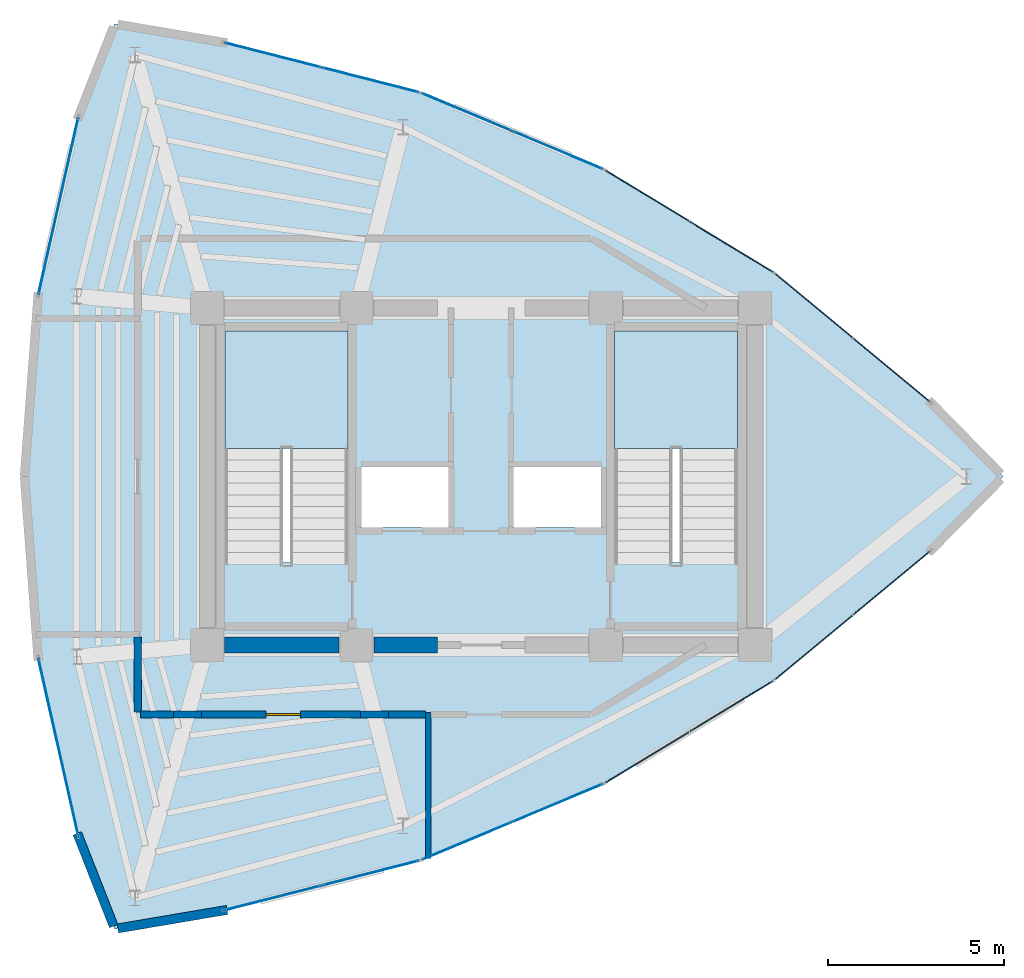
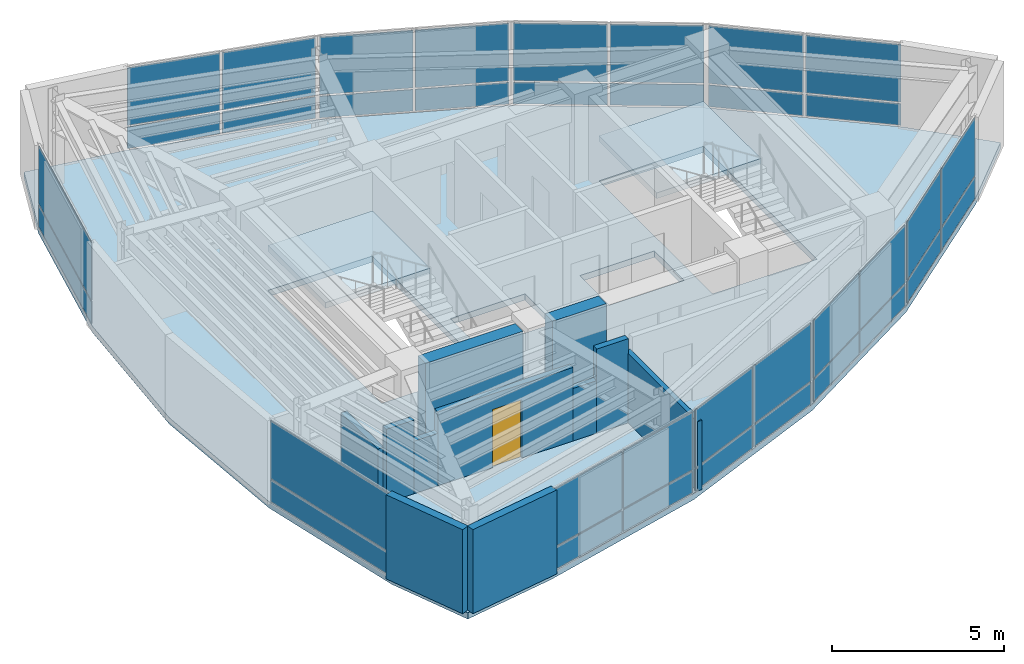
# One storey, part 11 of 14: 36 plates, 11 walls, 3 slabs, 1 door, 1 opening, 12 elements without a shape of their own.
"""IFC4 building model written with IfcOpenShell, lengths in metres."""

from ifc_helpers import new_model, si_unit, direction, frame, frame_2d, origin, origin_2d, place, context, subcontext, project, spatial, polyline, rectangle, outline, extrude, material, layer, layer_set, type_object, element, fill, aggregate, save


model = new_model("IFC4")

# Units and contexts
model_context = context("Model", 3, precision=1e-05, world=origin(), true_north=direction((0.0, 1.0)))
body_context = subcontext(model_context, "Body", "Model", "MODEL_VIEW")
ifc_project = project(units=[si_unit("LENGTHUNIT", "METRE"), si_unit("AREAUNIT", "SQUARE_METRE"), si_unit("VOLUMEUNIT", "CUBIC_METRE"), si_unit("PLANEANGLEUNIT", "RADIAN"), si_unit("MASSUNIT", "GRAM", prefix="KILO")], contexts=[model_context])

# Site, building, storey
site_placement = place(None, origin())
site = spatial("IfcSite", under=ifc_project, at=site_placement, CompositionType="ELEMENT")
building_placement = place(site_placement, origin())
building = spatial("IfcBuilding", under=site, at=building_placement, Name="Menara Vayukalpa", CompositionType="ELEMENT")
storey_placement = place(building_placement, frame((0.0, 0.0, 312.02001953125)))
storey = spatial("IfcBuildingStorey", under=building, at=storey_placement, Name="L80", CompositionType="ELEMENT", Elevation=312.02001953125)

# Curtain wall, plates
ifc_material_1 = material(Name="Anodised Terracotta Aluminium Alloy 6063-T6", Category="masonry")
ifc_layer_1 = layer(ifc_material_1, 0.14990234375)
ifc_layer_set_1 = layer_set([ifc_layer_1], Name="Anodised Terracotta Aluminium Alloy 6063-T6")
curtain_wall_type = type_object("IfcCurtainWallType", Name="CW-CW7", PredefinedType="USERDEFINED", material=ifc_layer_set_1)
curtain_wall_1_placement = place(storey_placement, origin())
curtain_wall_1 = element("IfcCurtainWall", 1, at=curtain_wall_1_placement, inside=storey, type_object=curtain_wall_type, Name="L80 Crown Drum Screened Curtain Wall CW7 03", ObjectType="UNITISED", PredefinedType="USERDEFINED")
ifc_material_2 = material(Name="Low-E Double Glazing", Category="glass")
ifc_layer_2 = layer(ifc_material_2, 0.02587890625)
ifc_layer_set_2 = layer_set([ifc_layer_2], Name="Low-E Double Glazing")
plate_type = type_object("IfcPlateType", Name="CWP-CW7", PredefinedType="CURTAIN_PANEL", material=ifc_layer_set_2)
plate_1_placement = place(storey_placement, frame((37.28271484375, 25.031982421875, 0.06005859375), z_axis=(0.0, 0.0, 1.0), x_axis=(-0.7697490702, 0.63834658997, 0.0)))
plate_1 = element("IfcPlate", 2, at=plate_1_placement, type_object=plate_type, Name="CW7 panel 1.1", PredefinedType="CURTAIN_PANEL", context=body_context, shape_type="SweptSolid", body=[
    extrude(rectangle(XDim=2.80078125, YDim=0.02587890625, at=origin_2d()), origin(), (0.0, 0.0, 1.0), 0.760009765625),
])
plate_2_placement = place(storey_placement, frame((37.28271484375, 25.031982421875, 0.8798828125), z_axis=(0.0, 0.0, 1.0), x_axis=(-0.7697490702, 0.63834658997, 0.0)))
plate_2 = element("IfcPlate", 3, at=plate_2_placement, type_object=plate_type, Name="CW7 panel 1.2", PredefinedType="CURTAIN_PANEL", context=body_context, shape_type="SweptSolid", body=[
    extrude(rectangle(XDim=2.80078125, YDim=0.02587890625, at=origin_2d()), origin(), (0.0, 0.0, 1.0), 2.0400390625),
])
plate_3_placement = place(storey_placement, frame((35.07666015625, 26.861328125, 0.06005859375), z_axis=(0.0, 0.0, 1.0), x_axis=(-0.7697490702, 0.63834658997, 0.0)))
plate_3 = element("IfcPlate", 4, at=plate_3_placement, type_object=plate_type, Name="CW7 panel 2.1", PredefinedType="CURTAIN_PANEL", context=body_context, shape_type="SweptSolid", body=[
    extrude(rectangle(XDim=2.80078125, YDim=0.02587890625, at=origin_2d()), origin(), (0.0, 0.0, 1.0), 0.760009765625),
])
plate_4_placement = place(storey_placement, frame((35.07666015625, 26.861328125, 0.8798828125), z_axis=(0.0, 0.0, 1.0), x_axis=(-0.7697490702, 0.63834658997, 0.0)))
plate_4 = element("IfcPlate", 5, at=plate_4_placement, type_object=plate_type, Name="CW7 panel 2.2", PredefinedType="CURTAIN_PANEL", context=body_context, shape_type="SweptSolid", body=[
    extrude(rectangle(XDim=2.80078125, YDim=0.02587890625, at=origin_2d()), origin(), (0.0, 0.0, 1.0), 2.0400390625),
])
aggregate(curtain_wall_1, [plate_1, plate_2, plate_3, plate_4])

curtain_wall_2_placement = place(storey_placement, origin())
curtain_wall_2 = element("IfcCurtainWall", 6, at=curtain_wall_2_placement, inside=storey, type_object=curtain_wall_type, Name="L80 Crown Drum Screened Curtain Wall CW7 04", ObjectType="UNITISED", PredefinedType="USERDEFINED")
plate_5_placement = place(storey_placement, frame((32.72314453125, 28.541259765625, 0.06005859375), z_axis=(0.0, 0.0, 1.0), x_axis=(-0.854667083096, 0.519176441176, 0.0)))
plate_5 = element("IfcPlate", 7, at=plate_5_placement, type_object=plate_type, Name="CW7 panel 1.1", PredefinedType="CURTAIN_PANEL", context=body_context, shape_type="SweptSolid", body=[
    extrude(rectangle(XDim=2.738037109375, YDim=0.02587890625, at=origin_2d()), origin(), (0.0, 0.0, 1.0), 0.760009765625),
])
plate_6_placement = place(storey_placement, frame((32.72314453125, 28.541259765625, 0.8798828125), z_axis=(0.0, 0.0, 1.0), x_axis=(-0.854667083096, 0.519176441176, 0.0)))
plate_6 = element("IfcPlate", 8, at=plate_6_placement, type_object=plate_type, Name="CW7 panel 1.2", PredefinedType="CURTAIN_PANEL", context=body_context, shape_type="SweptSolid", body=[
    extrude(rectangle(XDim=2.738037109375, YDim=0.02587890625, at=origin_2d()), origin(), (0.0, 0.0, 1.0), 2.0400390625),
])
plate_7_placement = place(storey_placement, frame((30.327392578125, 29.99658203125, 0.06005859375), z_axis=(0.0, 0.0, 1.0), x_axis=(-0.854667083096, 0.519176441176, 0.0)))
plate_7 = element("IfcPlate", 9, at=plate_7_placement, type_object=plate_type, Name="CW7 panel 2.1", PredefinedType="CURTAIN_PANEL", context=body_context, shape_type="SweptSolid", body=[
    extrude(rectangle(XDim=2.738037109375, YDim=0.02587890625, at=origin_2d()), origin(), (0.0, 0.0, 1.0), 0.760009765625),
])
plate_8_placement = place(storey_placement, frame((30.327392578125, 29.99658203125, 0.8798828125), z_axis=(0.0, 0.0, 1.0), x_axis=(-0.854667083096, 0.519176441176, 0.0)))
plate_8 = element("IfcPlate", 10, at=plate_8_placement, type_object=plate_type, Name="CW7 panel 2.2", PredefinedType="CURTAIN_PANEL", context=body_context, shape_type="SweptSolid", body=[
    extrude(rectangle(XDim=2.738037109375, YDim=0.02587890625, at=origin_2d()), origin(), (0.0, 0.0, 1.0), 2.0400390625),
])
aggregate(curtain_wall_2, [plate_5, plate_6, plate_7, plate_8])

curtain_wall_3_placement = place(storey_placement, origin())
curtain_wall_3 = element("IfcCurtainWall", 11, at=curtain_wall_3_placement, inside=storey, type_object=curtain_wall_type, Name="L80 Crown Drum Screened Curtain Wall CW7 05", ObjectType="UNITISED", PredefinedType="USERDEFINED")
plate_9_placement = place(storey_placement, frame((27.77880859375, 31.29443359375, 0.06005859375), z_axis=(0.0, 0.0, 1.0), x_axis=(-0.922541302191, 0.385898361946, 0.0)))
plate_9 = element("IfcPlate", 12, at=plate_9_placement, type_object=plate_type, Name="CW7 panel 1.1", PredefinedType="CURTAIN_PANEL", context=body_context, shape_type="SweptSolid", body=[
    extrude(rectangle(XDim=2.738037109375, YDim=0.02587890625, at=origin_2d()), origin(), (0.0, 0.0, 1.0), 0.760009765625),
])
plate_10_placement = place(storey_placement, frame((27.77880859375, 31.29443359375, 0.8798828125), z_axis=(0.0, 0.0, 1.0), x_axis=(-0.922541302191, 0.385898361946, 0.0)))
plate_10 = element("IfcPlate", 13, at=plate_10_placement, type_object=plate_type, Name="CW7 panel 1.2", PredefinedType="CURTAIN_PANEL", context=body_context, shape_type="SweptSolid", body=[
    extrude(rectangle(XDim=2.738037109375, YDim=0.02587890625, at=origin_2d()), origin(), (0.0, 0.0, 1.0), 2.0400390625),
])
plate_11_placement = place(storey_placement, frame((25.19287109375, 32.376220703125, 0.06005859375), z_axis=(0.0, 0.0, 1.0), x_axis=(-0.922541302191, 0.385898361946, 0.0)))
plate_11 = element("IfcPlate", 14, at=plate_11_placement, type_object=plate_type, Name="CW7 panel 2.1", PredefinedType="CURTAIN_PANEL", context=body_context, shape_type="SweptSolid", body=[
    extrude(rectangle(XDim=2.738037109375, YDim=0.02587890625, at=origin_2d()), origin(), (0.0, 0.0, 1.0), 0.760009765625),
])
plate_12_placement = place(storey_placement, frame((25.19287109375, 32.376220703125, 0.8798828125), z_axis=(0.0, 0.0, 1.0), x_axis=(-0.922541302191, 0.385898361946, 0.0)))
plate_12 = element("IfcPlate", 15, at=plate_12_placement, type_object=plate_type, Name="CW7 panel 2.2", PredefinedType="CURTAIN_PANEL", context=body_context, shape_type="SweptSolid", body=[
    extrude(rectangle(XDim=2.738037109375, YDim=0.02587890625, at=origin_2d()), origin(), (0.0, 0.0, 1.0), 2.0400390625),
])
aggregate(curtain_wall_3, [plate_9, plate_10, plate_11, plate_12])

curtain_wall_4_placement = place(storey_placement, origin())
curtain_wall_4 = element("IfcCurtainWall", 16, at=curtain_wall_4_placement, inside=storey, type_object=curtain_wall_type, Name="L80 Crown Drum Screened Curtain Wall CW7 06", ObjectType="UNITISED", PredefinedType="USERDEFINED")
plate_13_placement = place(storey_placement, frame((22.449951171875, 33.291748046875, 0.06005859375), z_axis=(0.0, 0.0, 1.0), x_axis=(-0.968983924097, 0.247123764219, 0.0)))
plate_13 = element("IfcPlate", 17, at=plate_13_placement, type_object=plate_type, Name="CW7 panel 1.1", PredefinedType="CURTAIN_PANEL", context=body_context, shape_type="SweptSolid", body=[
    extrude(rectangle(XDim=2.80078125, YDim=0.02587890625, at=origin_2d()), origin(), (0.0, 0.0, 1.0), 0.760009765625),
])
plate_14_placement = place(storey_placement, frame((22.449951171875, 33.291748046875, 0.8798828125), z_axis=(0.0, 0.0, 1.0), x_axis=(-0.968983924097, 0.247123764219, 0.0)))
plate_14 = element("IfcPlate", 18, at=plate_14_placement, type_object=plate_type, Name="CW7 panel 1.2", PredefinedType="CURTAIN_PANEL", context=body_context, shape_type="SweptSolid", body=[
    extrude(rectangle(XDim=2.80078125, YDim=0.02587890625, at=origin_2d()), origin(), (0.0, 0.0, 1.0), 2.0400390625),
])
plate_15_placement = place(storey_placement, frame((19.6728515625, 34.0, 0.06005859375), z_axis=(0.0, 0.0, 1.0), x_axis=(-0.968983924097, 0.247123764219, 0.0)))
plate_15 = element("IfcPlate", 19, at=plate_15_placement, type_object=plate_type, Name="CW7 panel 2.1", PredefinedType="CURTAIN_PANEL", context=body_context, shape_type="SweptSolid", body=[
    extrude(rectangle(XDim=2.80078125, YDim=0.02587890625, at=origin_2d()), origin(), (0.0, 0.0, 1.0), 0.760009765625),
])
plate_16_placement = place(storey_placement, frame((19.6728515625, 34.0, 0.8798828125), z_axis=(0.0, 0.0, 1.0), x_axis=(-0.968983924097, 0.247123764219, 0.0)))
plate_16 = element("IfcPlate", 20, at=plate_16_placement, type_object=plate_type, Name="CW7 panel 2.2", PredefinedType="CURTAIN_PANEL", context=body_context, shape_type="SweptSolid", body=[
    extrude(rectangle(XDim=2.80078125, YDim=0.02587890625, at=origin_2d()), origin(), (0.0, 0.0, 1.0), 2.0400390625),
])
aggregate(curtain_wall_4, [plate_13, plate_14, plate_15, plate_16])

curtain_wall_5_placement = place(storey_placement, origin())
curtain_wall_5 = element("IfcCurtainWall", 21, at=curtain_wall_5_placement, inside=storey, type_object=curtain_wall_type, Name="L80 Crown Drum Screened Curtain Wall CW7 09", ObjectType="UNITISED", PredefinedType="USERDEFINED")
plate_17_placement = place(storey_placement, frame((13.558837890625, 29.69921875, 0.06005859375), z_axis=(0.0, 0.0, 1.0), x_axis=(-0.219515813421, -0.975608941973, 0.0)))
plate_17 = element("IfcPlate", 22, at=plate_17_placement, type_object=plate_type, Name="CW7 panel 1.1", PredefinedType="CURTAIN_PANEL", context=body_context, shape_type="SweptSolid", body=[
    extrude(rectangle(XDim=5.131103515625, YDim=0.02587890625, at=origin_2d()), origin(), (0.0, 0.0, 1.0), 0.760009765625),
])
plate_18_placement = place(storey_placement, frame((13.558837890625, 29.69921875, 0.8798828125), z_axis=(0.0, 0.0, 1.0), x_axis=(-0.219515813421, -0.975608941973, 0.0)))
plate_18 = element("IfcPlate", 23, at=plate_18_placement, type_object=plate_type, Name="CW7 panel 1.2", PredefinedType="CURTAIN_PANEL", context=body_context, shape_type="SweptSolid", body=[
    extrude(rectangle(XDim=5.131103515625, YDim=0.02587890625, at=origin_2d()), origin(), (0.0, 0.0, 1.0), 2.0400390625),
])
aggregate(curtain_wall_5, [plate_17, plate_18])

curtain_wall_6_placement = place(storey_placement, origin())
curtain_wall_6 = element("IfcCurtainWall", 24, at=curtain_wall_6_placement, inside=storey, type_object=curtain_wall_type, Name="L80 Crown Drum Screened Curtain Wall CW7 12", ObjectType="UNITISED", PredefinedType="USERDEFINED")
plate_19_placement = place(storey_placement, frame((13.558837890625, 14.30078125, 0.06005859375), z_axis=(0.0, 0.0, 1.0), x_axis=(0.219515813421, -0.975608941973, 0.0)))
plate_19 = element("IfcPlate", 25, at=plate_19_placement, type_object=plate_type, Name="CW7 panel 1.1", PredefinedType="CURTAIN_PANEL", context=body_context, shape_type="SweptSolid", body=[
    extrude(rectangle(XDim=5.131103515625, YDim=0.02587890625, at=origin_2d()), origin(), (0.0, 0.0, 1.0), 0.760009765625),
])
plate_20_placement = place(storey_placement, frame((13.558837890625, 14.30078125, 0.8798828125), z_axis=(0.0, 0.0, 1.0), x_axis=(0.219515813421, -0.975608941973, 0.0)))
plate_20 = element("IfcPlate", 26, at=plate_20_placement, type_object=plate_type, Name="CW7 panel 1.2", PredefinedType="CURTAIN_PANEL", context=body_context, shape_type="SweptSolid", body=[
    extrude(rectangle(XDim=5.131103515625, YDim=0.02587890625, at=origin_2d()), origin(), (0.0, 0.0, 1.0), 2.0400390625),
])
aggregate(curtain_wall_6, [plate_19, plate_20])

curtain_wall_7_placement = place(storey_placement, origin())
curtain_wall_7 = element("IfcCurtainWall", 27, at=curtain_wall_7_placement, inside=storey, type_object=curtain_wall_type, Name="L80 Crown Drum Screened Curtain Wall CW7 15", ObjectType="UNITISED", PredefinedType="USERDEFINED")
plate_21_placement = place(storey_placement, frame((19.6728515625, 10.0, 0.06005859375), z_axis=(0.0, 0.0, 1.0), x_axis=(0.968983924097, 0.247123764219, 0.0)))
plate_21 = element("IfcPlate", 28, at=plate_21_placement, type_object=plate_type, Name="CW7 panel 1.1", PredefinedType="CURTAIN_PANEL", context=body_context, shape_type="SweptSolid", body=[
    extrude(rectangle(XDim=2.80078125, YDim=0.02587890625, at=origin_2d()), origin(), (0.0, 0.0, 1.0), 0.760009765625),
])
plate_22_placement = place(storey_placement, frame((19.6728515625, 10.0, 0.8798828125), z_axis=(0.0, 0.0, 1.0), x_axis=(0.968983924097, 0.247123764219, 0.0)))
plate_22 = element("IfcPlate", 29, at=plate_22_placement, type_object=plate_type, Name="CW7 panel 1.2", PredefinedType="CURTAIN_PANEL", context=body_context, shape_type="SweptSolid", body=[
    extrude(rectangle(XDim=2.80078125, YDim=0.02587890625, at=origin_2d()), origin(), (0.0, 0.0, 1.0), 2.0400390625),
])
plate_23_placement = place(storey_placement, frame((22.449951171875, 10.708251953125, 0.06005859375), z_axis=(0.0, 0.0, 1.0), x_axis=(0.968983924097, 0.247123764219, 0.0)))
plate_23 = element("IfcPlate", 30, at=plate_23_placement, type_object=plate_type, Name="CW7 panel 2.1", PredefinedType="CURTAIN_PANEL", context=body_context, shape_type="SweptSolid", body=[
    extrude(rectangle(XDim=2.80078125, YDim=0.02587890625, at=origin_2d()), origin(), (0.0, 0.0, 1.0), 0.760009765625),
])
plate_24_placement = place(storey_placement, frame((22.449951171875, 10.708251953125, 0.8798828125), z_axis=(0.0, 0.0, 1.0), x_axis=(0.968983924097, 0.247123764219, 0.0)))
plate_24 = element("IfcPlate", 31, at=plate_24_placement, type_object=plate_type, Name="CW7 panel 2.2", PredefinedType="CURTAIN_PANEL", context=body_context, shape_type="SweptSolid", body=[
    extrude(rectangle(XDim=2.80078125, YDim=0.02587890625, at=origin_2d()), origin(), (0.0, 0.0, 1.0), 2.0400390625),
])
aggregate(curtain_wall_7, [plate_21, plate_22, plate_23, plate_24])

curtain_wall_8_placement = place(storey_placement, origin())
curtain_wall_8 = element("IfcCurtainWall", 32, at=curtain_wall_8_placement, inside=storey, type_object=curtain_wall_type, Name="L80 Crown Drum Screened Curtain Wall CW7 16", ObjectType="UNITISED", PredefinedType="USERDEFINED")
plate_25_placement = place(storey_placement, frame((25.19287109375, 11.623779296875, 0.06005859375), z_axis=(0.0, 0.0, 1.0), x_axis=(0.922541302191, 0.385898361946, 0.0)))
plate_25 = element("IfcPlate", 33, at=plate_25_placement, type_object=plate_type, Name="CW7 panel 1.1", PredefinedType="CURTAIN_PANEL", context=body_context, shape_type="SweptSolid", body=[
    extrude(rectangle(XDim=2.738037109375, YDim=0.02587890625, at=origin_2d()), origin(), (0.0, 0.0, 1.0), 0.760009765625),
])
plate_26_placement = place(storey_placement, frame((25.19287109375, 11.623779296875, 0.8798828125), z_axis=(0.0, 0.0, 1.0), x_axis=(0.922541302191, 0.385898361946, 0.0)))
plate_26 = element("IfcPlate", 34, at=plate_26_placement, type_object=plate_type, Name="CW7 panel 1.2", PredefinedType="CURTAIN_PANEL", context=body_context, shape_type="SweptSolid", body=[
    extrude(rectangle(XDim=2.738037109375, YDim=0.02587890625, at=origin_2d()), origin(), (0.0, 0.0, 1.0), 2.0400390625),
])
plate_27_placement = place(storey_placement, frame((27.77880859375, 12.70556640625, 0.06005859375), z_axis=(0.0, 0.0, 1.0), x_axis=(0.922541302191, 0.385898361946, 0.0)))
plate_27 = element("IfcPlate", 35, at=plate_27_placement, type_object=plate_type, Name="CW7 panel 2.1", PredefinedType="CURTAIN_PANEL", context=body_context, shape_type="SweptSolid", body=[
    extrude(rectangle(XDim=2.738037109375, YDim=0.02587890625, at=origin_2d()), origin(), (0.0, 0.0, 1.0), 0.760009765625),
])
plate_28_placement = place(storey_placement, frame((27.77880859375, 12.70556640625, 0.8798828125), z_axis=(0.0, 0.0, 1.0), x_axis=(0.922541302191, 0.385898361946, 0.0)))
plate_28 = element("IfcPlate", 36, at=plate_28_placement, type_object=plate_type, Name="CW7 panel 2.2", PredefinedType="CURTAIN_PANEL", context=body_context, shape_type="SweptSolid", body=[
    extrude(rectangle(XDim=2.738037109375, YDim=0.02587890625, at=origin_2d()), origin(), (0.0, 0.0, 1.0), 2.0400390625),
])
aggregate(curtain_wall_8, [plate_25, plate_26, plate_27, plate_28])

curtain_wall_9_placement = place(storey_placement, origin())
curtain_wall_9 = element("IfcCurtainWall", 37, at=curtain_wall_9_placement, inside=storey, type_object=curtain_wall_type, Name="L80 Crown Drum Screened Curtain Wall CW7 17", ObjectType="UNITISED", PredefinedType="USERDEFINED")
plate_29_placement = place(storey_placement, frame((30.327392578125, 14.00341796875, 0.06005859375), z_axis=(0.0, 0.0, 1.0), x_axis=(0.854667083096, 0.519176441176, 0.0)))
plate_29 = element("IfcPlate", 38, at=plate_29_placement, type_object=plate_type, Name="CW7 panel 1.1", PredefinedType="CURTAIN_PANEL", context=body_context, shape_type="SweptSolid", body=[
    extrude(rectangle(XDim=2.738037109375, YDim=0.02587890625, at=origin_2d()), origin(), (0.0, 0.0, 1.0), 0.760009765625),
])
plate_30_placement = place(storey_placement, frame((30.327392578125, 14.00341796875, 0.8798828125), z_axis=(0.0, 0.0, 1.0), x_axis=(0.854667083096, 0.519176441176, 0.0)))
plate_30 = element("IfcPlate", 39, at=plate_30_placement, type_object=plate_type, Name="CW7 panel 1.2", PredefinedType="CURTAIN_PANEL", context=body_context, shape_type="SweptSolid", body=[
    extrude(rectangle(XDim=2.738037109375, YDim=0.02587890625, at=origin_2d()), origin(), (0.0, 0.0, 1.0), 2.0400390625),
])
plate_31_placement = place(storey_placement, frame((32.72314453125, 15.458740234375, 0.06005859375), z_axis=(0.0, 0.0, 1.0), x_axis=(0.854667083096, 0.519176441176, 0.0)))
plate_31 = element("IfcPlate", 40, at=plate_31_placement, type_object=plate_type, Name="CW7 panel 2.1", PredefinedType="CURTAIN_PANEL", context=body_context, shape_type="SweptSolid", body=[
    extrude(rectangle(XDim=2.738037109375, YDim=0.02587890625, at=origin_2d()), origin(), (0.0, 0.0, 1.0), 0.760009765625),
])
plate_32_placement = place(storey_placement, frame((32.72314453125, 15.458740234375, 0.8798828125), z_axis=(0.0, 0.0, 1.0), x_axis=(0.854667083096, 0.519176441176, 0.0)))
plate_32 = element("IfcPlate", 41, at=plate_32_placement, type_object=plate_type, Name="CW7 panel 2.2", PredefinedType="CURTAIN_PANEL", context=body_context, shape_type="SweptSolid", body=[
    extrude(rectangle(XDim=2.738037109375, YDim=0.02587890625, at=origin_2d()), origin(), (0.0, 0.0, 1.0), 2.0400390625),
])
aggregate(curtain_wall_9, [plate_29, plate_30, plate_31, plate_32])

curtain_wall_10_placement = place(storey_placement, origin())
curtain_wall_10 = element("IfcCurtainWall", 42, at=curtain_wall_10_placement, inside=storey, type_object=curtain_wall_type, Name="L80 Crown Drum Screened Curtain Wall CW7 18", ObjectType="UNITISED", PredefinedType="USERDEFINED")
plate_33_placement = place(storey_placement, frame((35.07666015625, 17.138671875, 0.06005859375), z_axis=(0.0, 0.0, 1.0), x_axis=(0.7697490702, 0.63834658997, 0.0)))
plate_33 = element("IfcPlate", 43, at=plate_33_placement, type_object=plate_type, Name="CW7 panel 1.1", PredefinedType="CURTAIN_PANEL", context=body_context, shape_type="SweptSolid", body=[
    extrude(rectangle(XDim=2.80078125, YDim=0.02587890625, at=origin_2d()), origin(), (0.0, 0.0, 1.0), 0.760009765625),
])
plate_34_placement = place(storey_placement, frame((35.07666015625, 17.138671875, 0.8798828125), z_axis=(0.0, 0.0, 1.0), x_axis=(0.7697490702, 0.63834658997, 0.0)))
plate_34 = element("IfcPlate", 44, at=plate_34_placement, type_object=plate_type, Name="CW7 panel 1.2", PredefinedType="CURTAIN_PANEL", context=body_context, shape_type="SweptSolid", body=[
    extrude(rectangle(XDim=2.80078125, YDim=0.02587890625, at=origin_2d()), origin(), (0.0, 0.0, 1.0), 2.0400390625),
])
plate_35_placement = place(storey_placement, frame((37.28271484375, 18.968017578125, 0.06005859375), z_axis=(0.0, 0.0, 1.0), x_axis=(0.7697490702, 0.63834658997, 0.0)))
plate_35 = element("IfcPlate", 45, at=plate_35_placement, type_object=plate_type, Name="CW7 panel 2.1", PredefinedType="CURTAIN_PANEL", context=body_context, shape_type="SweptSolid", body=[
    extrude(rectangle(XDim=2.80078125, YDim=0.02587890625, at=origin_2d()), origin(), (0.0, 0.0, 1.0), 0.760009765625),
])
plate_36_placement = place(storey_placement, frame((37.28271484375, 18.968017578125, 0.8798828125), z_axis=(0.0, 0.0, 1.0), x_axis=(0.7697490702, 0.63834658997, 0.0)))
plate_36 = element("IfcPlate", 46, at=plate_36_placement, type_object=plate_type, Name="CW7 panel 2.2", PredefinedType="CURTAIN_PANEL", context=body_context, shape_type="SweptSolid", body=[
    extrude(rectangle(XDim=2.80078125, YDim=0.02587890625, at=origin_2d()), origin(), (0.0, 0.0, 1.0), 2.0400390625),
])
aggregate(curtain_wall_10, [plate_33, plate_34, plate_35, plate_36])

# Slab
ifc_material_3 = material(Name="Concrete C40/50", Category="concrete")
ifc_layer_3 = layer(ifc_material_3, 0.219970703125)
ifc_layer_set_3 = layer_set([ifc_layer_3], Name="Concrete C40/50")
slab_type_1 = type_object("IfcSlabType", Name="SLB-FL220", PredefinedType="FLOOR", material=ifc_layer_set_3)
slab_1_placement = place(storey_placement, frame((0.0, 0.0, -0.219970703125)))
element("IfcSlab", 47, at=slab_1_placement, inside=storey, type_object=slab_type_1, Name="L80 Structural Floor Slab", PredefinedType="FLOOR", context=body_context, shape_type="SweptSolid", body=[
    extrude(outline(polyline([(38.41064453125, 19.903564453125), (40.468994140625, 22.0), (38.41064453125, 24.096435546875), (33.94873046875, 27.796875), (29.101806640625, 30.7412109375), (23.869873046875, 32.9296875), (18.2529296875, 34.362060546875), (15.16552734375, 34.88623046875), (14.13623046875, 32.265625), (12.9814453125, 27.1328125), (12.596435546875, 22.0), (12.9814453125, 16.8671875), (14.13623046875, 11.734375), (15.16552734375, 9.11376953125), (18.2529296875, 9.637939453125), (23.869873046875, 11.0703125), (29.101806640625, 13.2587890625), (33.94873046875, 16.203125), (38.41064453125, 19.903564453125)]), holes=[polyline([(21.800048828125, 19.550048828125), (21.800048828125, 26.14990234375), (18.300048828125, 26.14990234375), (18.300048828125, 19.550048828125), (21.800048828125, 19.550048828125)]), polyline([(32.89990234375, 19.550048828125), (32.89990234375, 26.14990234375), (29.39990234375, 26.14990234375), (29.39990234375, 19.550048828125), (32.89990234375, 19.550048828125)]), polyline([(22.179931640625, 20.550048828125), (24.679931640625, 20.550048828125), (24.679931640625, 22.27001953125), (22.179931640625, 22.27001953125), (22.179931640625, 20.550048828125)]), polyline([(26.52001953125, 20.550048828125), (29.02001953125, 20.550048828125), (29.02001953125, 22.27001953125), (26.52001953125, 22.27001953125), (26.52001953125, 20.550048828125)])]), origin(), (0.0, 0.0, 1.0), 0.219970703125),
])

# Stair, slab
ifc_material_4 = material(Name="Precast Concrete C40/50", Category="concrete")
stair_type = type_object("IfcStairType", Name="STR-T07", PredefinedType="DOUBLE_RETURN_STAIR", material=ifc_material_4)
stair_1_placement = place(storey_placement, origin())
stair_1 = element("IfcStair", 48, at=stair_1_placement, inside=storey, type_object=stair_type, Name="L80 Core Exit Stair ST-1", PredefinedType="DOUBLE_RETURN_STAIR")
ifc_material_5 = material(Name="Precast Concrete C40/50", Category="concrete")
ifc_layer_4 = layer(ifc_material_5, 0.199951171875)
ifc_layer_set_4 = layer_set([ifc_layer_4], Name="Precast Concrete C40/50")
slab_type_2 = type_object("IfcSlabType", Name="SLB-LND200", PredefinedType="LANDING", material=ifc_layer_set_4)
slab_2_placement = place(storey_placement, frame((0.0, 0.0, 1.39990234375)))
slab_2 = element("IfcSlab", 49, at=slab_2_placement, type_object=slab_type_2, Name="ST-1 landing 1", PredefinedType="LANDING", context=body_context, shape_type="SweptSolid", body=[
    extrude(outline(polyline([(21.800048828125, 22.800048828125), (21.800048828125, 26.14990234375), (18.300048828125, 26.14990234375), (18.300048828125, 22.800048828125), (21.800048828125, 22.800048828125)])), origin(), (0.0, 0.0, 1.0), 0.2001953125),
])
aggregate(stair_1, [slab_2])

stair_2_placement = place(storey_placement, origin())
stair_2 = element("IfcStair", 50, at=stair_2_placement, inside=storey, type_object=stair_type, Name="L80 Core Exit Stair ST-2", PredefinedType="DOUBLE_RETURN_STAIR")
slab_3_placement = place(storey_placement, frame((0.0, 0.0, 1.39990234375)))
slab_3 = element("IfcSlab", 51, at=slab_3_placement, type_object=slab_type_2, Name="ST-2 landing 1", PredefinedType="LANDING", context=body_context, shape_type="SweptSolid", body=[
    extrude(outline(polyline([(32.89990234375, 22.800048828125), (32.89990234375, 26.14990234375), (29.39990234375, 26.14990234375), (29.39990234375, 22.800048828125), (32.89990234375, 22.800048828125)])), origin(), (0.0, 0.0, 1.0), 0.2001953125),
])
aggregate(stair_2, [slab_3])

# Walls
ifc_material_6 = material(Name="Concrete C50/60", Category="concrete")
ifc_layer_5 = layer(ifc_material_6, 0.449951171875)
ifc_layer_set_5 = layer_set([ifc_layer_5], Name="Concrete C50/60")
wall_type_1 = type_object("IfcWallType", Name="WAL-CW450", PredefinedType="SHEAR", material=ifc_layer_set_5)
wall_1_placement = place(storey_placement, frame((18.294921875, 17.199951171875, 0.0), z_axis=(0.0, 0.0, 1.0), x_axis=(1.0, 0.0, 0.0)))
element("IfcWall", 52, at=wall_1_placement, inside=storey, type_object=wall_type_1, Name="L80 Buttressed Core Shear Wall CWS1", PredefinedType="SHEAR", context=body_context, shape_type="SweptSolid", body=[
    extrude(rectangle(XDim=3.260009765625, YDim=0.449951171875, at=frame_2d((1.6298828125, 0.0))), origin(), (0.0, 0.0, 1.0), 2.97998046875),
])
wall_2_placement = place(storey_placement, frame((22.544921875, 17.199951171875, 0.0), z_axis=(0.0, 0.0, 1.0), x_axis=(1.0, 0.0, 0.0)))
element("IfcWall", 53, at=wall_2_placement, inside=storey, type_object=wall_type_1, Name="L80 Buttressed Core Shear Wall CWS2", PredefinedType="SHEAR", context=body_context, shape_type="SweptSolid", body=[
    extrude(rectangle(XDim=1.80517578125, YDim=0.449951171875, at=frame_2d((0.902587890625, 0.0))), origin(), (0.0, 0.0, 1.0), 2.97998046875),
])
ifc_material_7 = material(Name="Insulated Precast Concrete C40/50", Category="concrete")
ifc_layer_6 = layer(ifc_material_7, 0.260009765625)
ifc_layer_set_6 = layer_set([ifc_layer_6], Name="Insulated Precast Concrete C40/50")
wall_type_2 = type_object("IfcWallType", Name="WAL-EXT260", PredefinedType="PARTITIONING", material=ifc_layer_set_6)
wall_3_placement = place(storey_placement, frame((15.133544921875, 9.195068359375, 0.0), z_axis=(0.0, 0.0, 1.0), x_axis=(-0.365495346637, 0.930813166853, 0.0)))
element("IfcWall", 54, at=wall_3_placement, inside=storey, type_object=wall_type_2, Name="L80 Perimeter Terracotta Pier Wall 13", PredefinedType="PARTITIONING", context=body_context, shape_type="SweptSolid", body=[
    extrude(rectangle(XDim=2.838134765625, YDim=0.260009765625, at=frame_2d((1.4189453125, 0.0))), origin(), (0.0, 0.0, 1.0), 2.97998046875),
])
wall_4_placement = place(storey_placement, frame((18.366455078125, 9.656982421875, 0.0), z_axis=(0.0, 0.0, 1.0), x_axis=(-0.985905089134, -0.167305574383, 0.0)))
element("IfcWall", 55, at=wall_4_placement, inside=storey, type_object=wall_type_2, Name="L80 Perimeter Terracotta Pier Wall 14", PredefinedType="PARTITIONING", context=body_context, shape_type="SweptSolid", body=[
    extrude(rectangle(XDim=3.1591796875, YDim=0.260009765625, at=frame_2d((1.57958984375, 0.0))), origin(), (0.0, 0.0, 1.0), 2.97998046875),
])
ifc_material_8 = material(Name="Lightweight Concrete Blockwork C16/20", Category="masonry")
ifc_layer_7 = layer(ifc_material_8, 0.159912109375)
ifc_layer_set_7 = layer_set([ifc_layer_7], Name="Lightweight Concrete Blockwork C16/20")
wall_type_3 = type_object("IfcWallType", Name="WAL-FR150", PredefinedType="PARTITIONING", material=ifc_layer_set_7)
wall_5_placement = place(storey_placement, frame((24.090576171875, 11.119384765625, 0.0), z_axis=(0.0, 0.0, 1.0), x_axis=(0.0, 1.0, 0.0)))
element("IfcWall", 56, at=wall_5_placement, inside=storey, type_object=wall_type_3, Name="L80 Interior Partition IW-L80-RDIV03", PredefinedType="PARTITIONING", context=body_context, shape_type="SweptSolid", body=[
    extrude(rectangle(XDim=4.16064453125, YDim=0.159912109375, at=frame_2d((2.080322265625, 0.0))), origin(), (0.0, 0.0, 1.0), 2.4599609375),
])
ifc_material_9 = material(Name="Lightweight Concrete Blockwork C16/20", Category="masonry")
ifc_layer_8 = layer(ifc_material_9, 0.199951171875)
ifc_layer_set_8 = layer_set([ifc_layer_8], Name="Lightweight Concrete Blockwork C16/20")
wall_type_4 = type_object("IfcWallType", Name="WAL-FR200", PredefinedType="PARTITIONING", material=ifc_layer_set_8)
wall_6_placement = place(storey_placement, frame((15.820068359375, 17.429931640625, 0.0), z_axis=(0.0, 0.0, 1.0), x_axis=(0.0, -1.0, 0.0)))
element("IfcWall", 57, at=wall_6_placement, inside=storey, type_object=wall_type_4, Name="L80 Interior Partition IW-L80-CRM01-1", PredefinedType="PARTITIONING", context=body_context, shape_type="SweptSolid", body=[
    extrude(rectangle(XDim=2.1298828125, YDim=0.199951171875, at=frame_2d((1.06494140625, 0.0))), origin(), (0.0, 0.0, 1.0), 1.85986328125),
])
wall_7_placement = place(storey_placement, frame((16.833740234375, 15.219970703125, 0.0), z_axis=(0.0, 0.0, 1.0), x_axis=(1.0, 0.0, 0.0)))
element("IfcWall", 58, at=wall_7_placement, inside=storey, type_object=wall_type_4, Name="L80 Interior Partition IW-L80-CRM01-2 Beam Collar 1", PredefinedType="PARTITIONING", context=body_context, shape_type="SweptSolid", body=[
    extrude(rectangle(XDim=0.80078125, YDim=0.199951171875, at=frame_2d((0.400390625, 0.0))), origin(), (0.0, 0.0, 1.0), 1.85986328125),
])
wall_8_placement = place(storey_placement, frame((22.160400390625, 15.219970703125, 0.0), z_axis=(0.0, 0.0, 1.0), x_axis=(1.0, 0.0, 0.0)))
element("IfcWall", 59, at=wall_8_placement, inside=storey, type_object=wall_type_4, Name="L80 Interior Partition IW-L80-CRM01-2 Beam Collar 2", PredefinedType="PARTITIONING", context=body_context, shape_type="SweptSolid", body=[
    extrude(rectangle(XDim=0.794921875, YDim=0.199951171875, at=frame_2d((0.3974609375, 0.0))), origin(), (0.0, 0.0, 1.0), 1.85986328125),
])
wall_9_placement = place(storey_placement, frame((15.89990234375, 15.219970703125, 0.0), z_axis=(0.0, 0.0, 1.0), x_axis=(1.0, 0.0, 0.0)))
element("IfcWall", 60, at=wall_9_placement, inside=storey, type_object=wall_type_4, Name="L80 Interior Partition IW-L80-CRM01-2 Span 3", PredefinedType="PARTITIONING", context=body_context, shape_type="SweptSolid", body=[
    extrude(rectangle(XDim=0.933837890625, YDim=0.199951171875, at=frame_2d((0.466796875, 0.0))), origin(), (0.0, 0.0, 1.0), 2.60986328125),
])
wall_10_placement = place(storey_placement, frame((22.955322265625, 15.219970703125, 0.0), z_axis=(0.0, 0.0, 1.0), x_axis=(1.0, 0.0, 0.0)))
element("IfcWall", 61, at=wall_10_placement, inside=storey, type_object=wall_type_4, Name="L80 Interior Partition IW-L80-CRM01-2 Span 4", PredefinedType="PARTITIONING", context=body_context, shape_type="SweptSolid", body=[
    extrude(rectangle(XDim=1.065185546875, YDim=0.199951171875, at=frame_2d((0.53271484375, 0.0))), origin(), (0.0, 0.0, 1.0), 2.97998046875),
])

# Wall, opening, door
wall_11_placement = place(storey_placement, frame((17.634521484375, 15.219970703125, 0.0), z_axis=(0.0, 0.0, 1.0), x_axis=(1.0, 0.0, 0.0)))
wall_11 = element("IfcWall", 62, at=wall_11_placement, inside=storey, type_object=wall_type_4, Name="L80 Interior Partition IW-L80-CRM01-2", PredefinedType="PARTITIONING", context=body_context, shape_type="SweptSolid", body=[
    extrude(rectangle(XDim=4.52587890625, YDim=0.199951171875, at=frame_2d((2.262939453125, 0.0))), origin(), (0.0, 0.0, 1.0), 2.60986328125),
])
opening_placement = place(wall_11_placement, frame((1.835693359375, 0.0, 0.0)))
opening = element("IfcOpeningElement", 63, at=opening_placement, cuts=wall_11, Name="Opening ID3", PredefinedType="OPENING", context=body_context, shape_type="SweptSolid", body=[
    extrude(rectangle(XDim=0.97998046875, YDim=2.06005859375, at=frame_2d((0.489990234375, 1.030029296875))), frame((0.0, 0.10986328125, 0.0), z_axis=(0.0, -1.0, 0.0), x_axis=(1.0, 0.0, 0.0)), (0.0, 0.0, 1.0), 0.219970703125),
])
ifc_material_10 = material(Name="Fire-Rated Powder-Coated Steel Door", Category="steel")
door_type = type_object("IfcDoorType", Name="DR-FD60", OperationType="NOTDEFINED", PredefinedType="DOOR", material=ifc_material_10)
door_placement = place(opening_placement, origin())
door = element("IfcDoor", 64, at=door_placement, inside=storey, type_object=door_type, Name="L80 Interior Door DR-L80-RM01", OperationType="SINGLE_SWING_RIGHT", OverallHeight=2.06005859375, OverallWidth=0.97998046875, PredefinedType="DOOR", context=body_context, shape_type="SweptSolid", body=[
    extrude(rectangle(XDim=0.97998046875, YDim=2.06005859375, at=frame_2d((0.489990234375, 1.030029296875))), frame((0.0, 0.02490234375, 0.0), z_axis=(0.0, -1.0, 0.0), x_axis=(1.0, 0.0, 0.0)), (0.0, 0.0, 1.0), 0.050048828125),
])
fill(opening, door)

save(model, "model.ifc")
